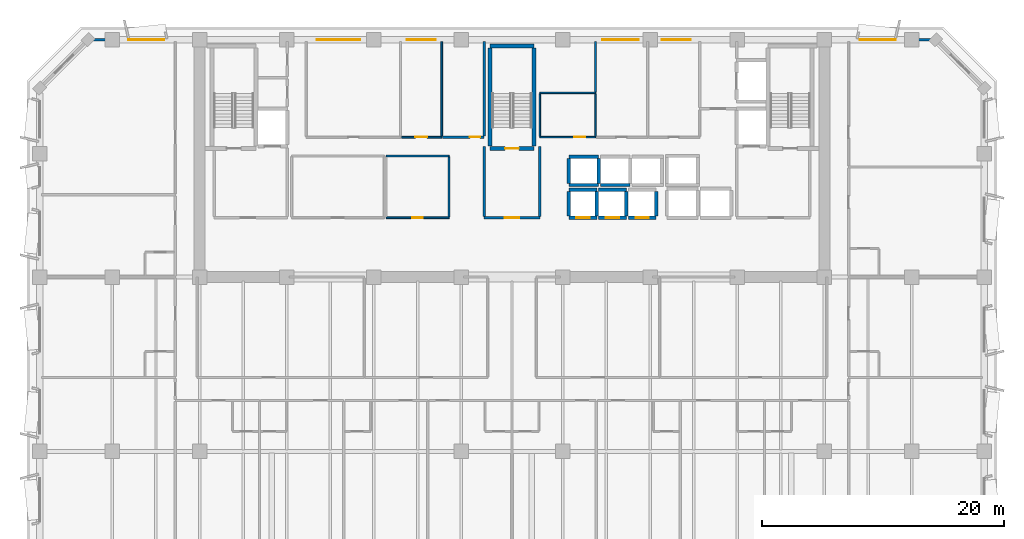
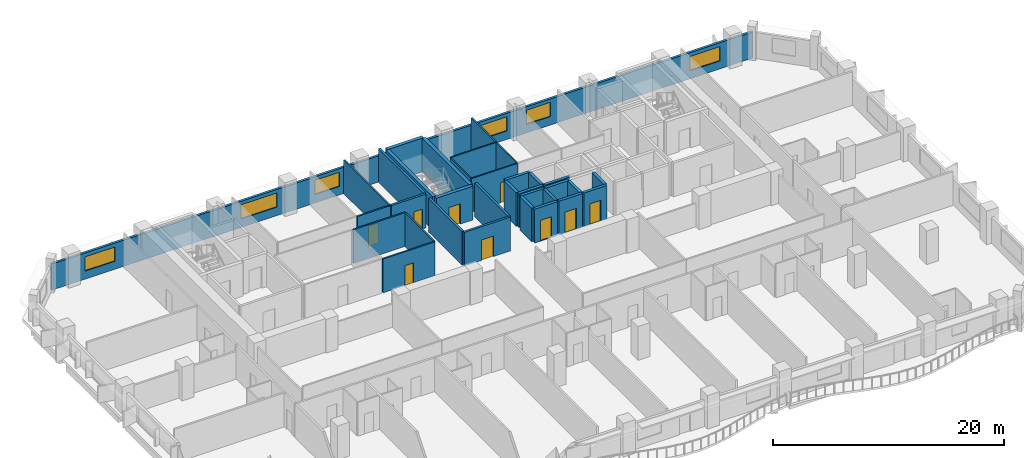
# One storey, part 7 of 14: 34 walls, 9 doors, 6 windows, 15 openings.
"""IFC4 building model written with IfcOpenShell, lengths in metres."""

from ifc_helpers import new_model, si_unit, direction, frame, frame_2d, origin, place, context, subcontext, project, spatial, rectangle, extrude, material, layer, layer_set, type_object, element, fill, save


model = new_model("IFC4")

# Units and contexts
model_context = context("Model", 3, precision=1e-05, world=origin(), true_north=direction((0.0, 1.0)))
body_context = subcontext(model_context, "Body", "Model", "MODEL_VIEW")
ifc_project = project(units=[si_unit("LENGTHUNIT", "METRE"), si_unit("AREAUNIT", "SQUARE_METRE"), si_unit("VOLUMEUNIT", "CUBIC_METRE"), si_unit("PLANEANGLEUNIT", "RADIAN"), si_unit("MASSUNIT", "GRAM", prefix="KILO")], contexts=[model_context])

# Site, building, storey
site_placement = place(None, origin())
site = spatial("IfcSite", under=ifc_project, at=site_placement, CompositionType="ELEMENT")
building_placement = place(site_placement, origin())
building = spatial("IfcBuilding", under=site, at=building_placement, Name="Kaelvorn Grand Hotel", CompositionType="ELEMENT")
storey_placement = place(building_placement, frame((0.0, 0.0, 165.75)))
storey = spatial("IfcBuildingStorey", under=building, at=storey_placement, Name="L40", CompositionType="ELEMENT", Elevation=165.75)

# Wall, openings, windows
ifc_material_1 = material(Name="Concrete C40/50", Category="concrete")
ifc_layer_1 = layer(ifc_material_1, 0.239990234375)
ifc_layer_set_1 = layer_set([ifc_layer_1], Name="Concrete C40/50")
wall_type_1 = type_object("IfcWallType", Name="WL-EXT-240-C40", PredefinedType="SOLIDWALL", material=ifc_layer_set_1)
wall_1_placement = place(storey_placement, frame((77.0, 49.0, 0.0), z_axis=(0.0, 0.0, 1.0), x_axis=(-1.0, 0.0, 0.0)))
wall_1 = element("IfcWall", 1, at=wall_1_placement, inside=storey, type_object=wall_type_1, Name="L40 Exterior Architectural Concrete Wall 05", PredefinedType="SOLIDWALL", context=body_context, shape_type="SweptSolid", body=[
    extrude(rectangle(XDim=70.0, YDim=0.239990234375, at=frame_2d((35.0, 0.0))), origin(), (0.0, 0.0, 1.0), 2.760009765625),
])
opening_1_placement = place(wall_1_placement, frame((63.699951171875, 0.0, 0.85009765625)))
opening_1 = element("IfcOpeningElement", 2, at=opening_1_placement, cuts=wall_1, Name="Opening W5", PredefinedType="OPENING", context=body_context, shape_type="SweptSolid", body=[
    extrude(rectangle(XDim=3.0, YDim=1.5, at=frame_2d((1.5, 0.75))), frame((0.0, 0.1298828125, 0.0), z_axis=(0.0, -1.0, 0.0), x_axis=(1.0, 0.0, 0.0)), (0.0, 0.0, 1.0), 0.260009765625),
])
opening_2_placement = place(wall_1_placement, frame((3.300048828125, 0.0, 0.85009765625)))
opening_2 = element("IfcOpeningElement", 3, at=opening_2_placement, cuts=wall_1, Name="Opening W5", PredefinedType="OPENING", context=body_context, shape_type="SweptSolid", body=[
    extrude(rectangle(XDim=3.0, YDim=1.5, at=frame_2d((1.5, 0.75))), frame((0.0, 0.1298828125, 0.0), z_axis=(0.0, -1.0, 0.0), x_axis=(1.0, 0.0, 0.0)), (0.0, 0.0, 1.0), 0.260009765625),
])
opening_3_placement = place(wall_1_placement, frame((47.514892578125, 0.0, 0.89990234375)))
opening_3 = element("IfcOpeningElement", 4, at=opening_3_placement, cuts=wall_1, Name="Opening W3", PredefinedType="OPENING", context=body_context, shape_type="SweptSolid", body=[
    extrude(rectangle(XDim=3.60009765625, YDim=1.5, at=frame_2d((1.800048828125, 0.75))), frame((0.0, 0.1298828125, 0.0), z_axis=(0.0, -1.0, 0.0), x_axis=(1.0, 0.0, 0.0)), (0.0, 0.0, 1.0), 0.260009765625),
])
opening_4_placement = place(wall_1_placement, frame((41.300048828125, 0.0, 0.89990234375)))
opening_4 = element("IfcOpeningElement", 5, at=opening_4_placement, cuts=wall_1, Name="Opening W6", PredefinedType="OPENING", context=body_context, shape_type="SweptSolid", body=[
    extrude(rectangle(XDim=2.39990234375, YDim=1.5, at=frame_2d((1.199951171875, 0.75))), frame((0.0, 0.1298828125, 0.0), z_axis=(0.0, -1.0, 0.0), x_axis=(1.0, 0.0, 0.0)), (0.0, 0.0, 1.0), 0.260009765625),
])
opening_5_placement = place(wall_1_placement, frame((24.550048828125, 0.0, 0.89990234375)))
opening_5 = element("IfcOpeningElement", 6, at=opening_5_placement, cuts=wall_1, Name="Opening W5", PredefinedType="OPENING", context=body_context, shape_type="SweptSolid", body=[
    extrude(rectangle(XDim=3.0, YDim=1.5, at=frame_2d((1.5, 0.75))), frame((0.0, 0.1298828125, 0.0), z_axis=(0.0, -1.0, 0.0), x_axis=(1.0, 0.0, 0.0)), (0.0, 0.0, 1.0), 0.260009765625),
])
opening_6_placement = place(wall_1_placement, frame((20.235107421875, 0.0, 0.89990234375)))
opening_6 = element("IfcOpeningElement", 7, at=opening_6_placement, cuts=wall_1, Name="Opening W6", PredefinedType="OPENING", context=body_context, shape_type="SweptSolid", body=[
    extrude(rectangle(XDim=2.39990234375, YDim=1.5, at=frame_2d((1.199951171875, 0.75))), frame((0.0, 0.1298828125, 0.0), z_axis=(0.0, -1.0, 0.0), x_axis=(1.0, 0.0, 0.0)), (0.0, 0.0, 1.0), 0.260009765625),
])
ifc_material_2 = material(Name="Laminated Low-E Glass", Category="glass")
window_type_1 = type_object("IfcWindowType", Name="WIN-NTH-2400x1500", PartitioningType="SINGLE_PANEL", PredefinedType="WINDOW", material=ifc_material_2)
window_1_placement = place(opening_4_placement, origin())
window_1 = element("IfcWindow", 8, at=window_1_placement, inside=storey, type_object=window_type_1, Name="L40 North Core Clerestory Ribbon Window NC04", OverallHeight=1.5, OverallWidth=2.39990234375, PartitioningType="SINGLE_PANEL", PredefinedType="WINDOW", context=body_context, shape_type="SweptSolid", body=[
    extrude(rectangle(XDim=2.39990234375, YDim=1.5, at=frame_2d((1.199951171875, 0.75))), frame((0.0, 0.030029296875, 0.0), z_axis=(0.0, -1.0, 0.0), x_axis=(1.0, 0.0, 0.0)), (0.0, 0.0, 1.0), 0.06005859375),
])
fill(opening_4, window_1)
window_2_placement = place(opening_6_placement, origin())
window_2 = element("IfcWindow", 9, at=window_2_placement, inside=storey, type_object=window_type_1, Name="L40 North Core Clerestory Ribbon Window NC06", OverallHeight=1.5, OverallWidth=2.39990234375, PartitioningType="SINGLE_PANEL", PredefinedType="WINDOW", context=body_context, shape_type="SweptSolid", body=[
    extrude(rectangle(XDim=2.39990234375, YDim=1.5, at=frame_2d((1.199951171875, 0.75))), frame((0.0, 0.030029296875, 0.0), z_axis=(0.0, -1.0, 0.0), x_axis=(1.0, 0.0, 0.0)), (0.0, 0.0, 1.0), 0.06005859375),
])
fill(opening_6, window_2)
window_type_2 = type_object("IfcWindowType", Name="WIN-NTH-3000x1500", PartitioningType="SINGLE_PANEL", PredefinedType="WINDOW", material=ifc_material_2)
window_3_placement = place(opening_1_placement, origin())
window_3 = element("IfcWindow", 10, at=window_3_placement, inside=storey, type_object=window_type_2, Name="L40 North Wing Ribbon Window NW01", OverallHeight=1.5, OverallWidth=3.0, PartitioningType="SINGLE_PANEL", PredefinedType="WINDOW", context=body_context, shape_type="SweptSolid", body=[
    extrude(rectangle(XDim=3.0, YDim=1.5, at=frame_2d((1.5, 0.75))), frame((0.0, 0.030029296875, 0.0), z_axis=(0.0, -1.0, 0.0), x_axis=(1.0, 0.0, 0.0)), (0.0, 0.0, 1.0), 0.06005859375),
])
fill(opening_1, window_3)
window_4_placement = place(opening_2_placement, origin())
window_4 = element("IfcWindow", 11, at=window_4_placement, inside=storey, type_object=window_type_2, Name="L40 North Wing Ribbon Window NW02", OverallHeight=1.5, OverallWidth=3.0, PartitioningType="SINGLE_PANEL", PredefinedType="WINDOW", context=body_context, shape_type="SweptSolid", body=[
    extrude(rectangle(XDim=3.0, YDim=1.5, at=frame_2d((1.5, 0.75))), frame((0.0, 0.030029296875, 0.0), z_axis=(0.0, -1.0, 0.0), x_axis=(1.0, 0.0, 0.0)), (0.0, 0.0, 1.0), 0.06005859375),
])
fill(opening_2, window_4)
window_5_placement = place(opening_5_placement, origin())
window_5 = element("IfcWindow", 12, at=window_5_placement, inside=storey, type_object=window_type_2, Name="L40 North Core Clerestory Ribbon Window NC05", OverallHeight=1.5, OverallWidth=3.0, PartitioningType="SINGLE_PANEL", PredefinedType="WINDOW", context=body_context, shape_type="SweptSolid", body=[
    extrude(rectangle(XDim=3.0, YDim=1.5, at=frame_2d((1.5, 0.75))), frame((0.0, 0.030029296875, 0.0), z_axis=(0.0, -1.0, 0.0), x_axis=(1.0, 0.0, 0.0)), (0.0, 0.0, 1.0), 0.06005859375),
])
fill(opening_5, window_5)
window_type_3 = type_object("IfcWindowType", Name="WIN-RIB-3600x1750", PartitioningType="SINGLE_PANEL", PredefinedType="WINDOW", material=ifc_material_2)
window_6_placement = place(opening_3_placement, origin())
window_6 = element("IfcWindow", 13, at=window_6_placement, inside=storey, type_object=window_type_3, Name="L40 North Core Clerestory Ribbon Window NC03", OverallHeight=1.5, OverallWidth=3.60009765625, PartitioningType="SINGLE_PANEL", PredefinedType="WINDOW", context=body_context, shape_type="SweptSolid", body=[
    extrude(rectangle(XDim=3.60009765625, YDim=1.5, at=frame_2d((1.800048828125, 0.75))), frame((0.0, 0.030029296875, 0.0), z_axis=(0.0, -1.0, 0.0), x_axis=(1.0, 0.0, 0.0)), (0.0, 0.0, 1.0), 0.06005859375),
])
fill(opening_3, window_6)

# Wall, opening, door
ifc_material_3 = material(Name="Moisture-Resistant Tile & Stud Board")
ifc_layer_2 = layer(ifc_material_3, 0.125)
ifc_layer_set_2 = layer_set([ifc_layer_2], Name="Moisture-Resistant Tile & Stud Board")
wall_type_2 = type_object("IfcWallType", Name="WL-PART-125-WET", PredefinedType="PARTITIONING", material=ifc_layer_set_2)
wall_2_placement = place(storey_placement, frame((44.300048828125, 40.949951171875, 0.0), z_axis=(0.0, 0.0, 1.0), x_axis=(1.0, 0.0, 0.0)))
wall_2 = element("IfcWall", 14, at=wall_2_placement, inside=storey, type_object=wall_type_2, Name="L40 Accessible WC S Partition", PredefinedType="PARTITIONING", context=body_context, shape_type="SweptSolid", body=[
    extrude(rectangle(XDim=4.599853515625, YDim=0.125, at=frame_2d((2.2998046875, 0.0))), origin(), (0.0, 0.0, 1.0), 3.56005859375),
])
opening_7_placement = place(wall_2_placement, frame((2.85009765625, 0.0, 0.0)))
opening_7 = element("IfcOpeningElement", 15, at=opening_7_placement, cuts=wall_2, Name="Opening DI4", PredefinedType="OPENING", context=body_context, shape_type="SweptSolid", body=[
    extrude(rectangle(XDim=0.89990234375, YDim=2.10009765625, at=frame_2d((0.449951171875, 1.050048828125))), frame((0.0, 0.072509765625, 0.0), z_axis=(0.0, -1.0, 0.0), x_axis=(1.0, 0.0, 0.0)), (0.0, 0.0, 1.0), 0.14501953125),
])
ifc_material_4 = material(Name="Timber Veneer Leaf", Category="wood")
door_type_1 = type_object("IfcDoorType", Name="DR-INT-BATH-900x2100", OperationType="NOTDEFINED", PredefinedType="DOOR", material=ifc_material_4)
door_1_placement = place(opening_7_placement, origin())
door_1 = element("IfcDoor", 16, at=door_1_placement, inside=storey, type_object=door_type_1, Name="L40 Accessible WC Door", OperationType="SINGLE_SWING_LEFT", OverallHeight=2.10009765625, OverallWidth=0.89990234375, PredefinedType="DOOR", context=body_context, shape_type="SweptSolid", body=[
    extrude(rectangle(XDim=0.89990234375, YDim=2.10009765625, at=frame_2d((0.449951171875, 1.050048828125))), frame((0.0, 0.02490234375, 0.0), z_axis=(0.0, -1.0, 0.0), x_axis=(1.0, 0.0, 0.0)), (0.0, 0.0, 1.0), 0.050048828125),
])
fill(opening_7, door_1)

# Walls
wall_3_placement = place(storey_placement, frame((44.300048828125, 44.60009765625, 0.0), z_axis=(0.0, 0.0, 1.0), x_axis=(1.0, 0.0, 0.0)))
element("IfcWall", 17, at=wall_3_placement, inside=storey, type_object=wall_type_2, Name="L40 Accessible WC N Partition", PredefinedType="PARTITIONING", context=body_context, shape_type="SweptSolid", body=[
    extrude(rectangle(XDim=4.599853515625, YDim=0.125, at=frame_2d((2.2998046875, 0.0))), origin(), (0.0, 0.0, 1.0), 3.56005859375),
])
for number, where, z_axis, x_axis, name in (
    (18, (44.300048828125, 41.017578125, 0.0), (0.0, 0.0, 1.0), (0.0, 1.0, 0.0), "L40 Accessible WC W Partition"),
    (19, (48.89990234375, 41.017578125, 0.0), (0.0, 0.0, 1.0), (0.0, 1.0, 0.0), "L40 Accessible WC E Partition"),
):
    element("IfcWall", number, at=place(storey_placement, frame(where, z_axis=z_axis, x_axis=x_axis)), inside=storey, type_object=wall_type_2, Name=name, PredefinedType="PARTITIONING", context=body_context, shape_type="SweptSolid", body=[
        extrude(rectangle(XDim=3.514892578125, YDim=0.125, at=frame_2d((1.75732421875, 0.0))), origin(), (0.0, 0.0, 1.0), 3.56005859375),
    ])

# Wall, opening, door
ifc_material_5 = material(Name="Acoustic Gypsum & Stud Partition")
ifc_layer_3 = layer(ifc_material_5, 0.14990234375)
ifc_layer_set_3 = layer_set([ifc_layer_3], Name="Acoustic Gypsum & Stud Partition")
wall_type_3 = type_object("IfcWallType", Name="WL-PART-150-EI60", PredefinedType="PARTITIONING", material=ifc_layer_set_3)
wall_4_placement = place(storey_placement, frame((31.60009765625, 34.300048828125, 0.0), z_axis=(0.0, 0.0, 1.0), x_axis=(1.0, 0.0, 0.0)))
wall_4 = element("IfcWall", 20, at=wall_4_placement, inside=storey, type_object=wall_type_3, Name="L40 Core Telecoms & BMS Server Room S Partition", PredefinedType="PARTITIONING", context=body_context, shape_type="SweptSolid", body=[
    extrude(rectangle(XDim=5.199951171875, YDim=0.14990234375, at=frame_2d((2.60009765625, 0.0))), origin(), (0.0, 0.0, 1.0), 3.56005859375),
])
opening_8_placement = place(wall_4_placement, frame((2.175048828125, 0.0, 0.0)))
opening_8 = element("IfcOpeningElement", 21, at=opening_8_placement, cuts=wall_4, Name="Opening DI7", PredefinedType="OPENING", context=body_context, shape_type="SweptSolid", body=[
    extrude(rectangle(XDim=0.85009765625, YDim=2.10009765625, at=frame_2d((0.425048828125, 1.050048828125))), frame((0.0, 0.0849609375, 0.0), z_axis=(0.0, -1.0, 0.0), x_axis=(1.0, 0.0, 0.0)), (0.0, 0.0, 1.0), 0.169921875),
])
ifc_material_6 = material(Name="Powder-Coated Steel Leaf", Category="steel")
door_type_2 = type_object("IfcDoorType", Name="DR-INT-RISER-850x2100", OperationType="NOTDEFINED", PredefinedType="DOOR", material=ifc_material_6)
door_2_placement = place(opening_8_placement, origin())
door_2 = element("IfcDoor", 22, at=door_2_placement, inside=storey, type_object=door_type_2, Name="L40 Core Telecoms & BMS Server Room Door", OperationType="SINGLE_SWING_RIGHT", OverallHeight=2.10009765625, OverallWidth=0.85009765625, PredefinedType="DOOR", context=body_context, shape_type="SweptSolid", body=[
    extrude(rectangle(XDim=0.85009765625, YDim=2.10009765625, at=frame_2d((0.425048828125, 1.050048828125))), frame((0.0, 0.02490234375, 0.0), z_axis=(0.0, -1.0, 0.0), x_axis=(1.0, 0.0, 0.0)), (0.0, 0.0, 1.0), 0.050048828125),
])
fill(opening_8, door_2)

# Walls
wall_5_placement = place(storey_placement, frame((31.60009765625, 39.39990234375, 0.0), z_axis=(0.0, 0.0, 1.0), x_axis=(1.0, 0.0, 0.0)))
element("IfcWall", 23, at=wall_5_placement, inside=storey, type_object=wall_type_3, Name="L40 Core Telecoms & BMS Server Room N Partition", PredefinedType="PARTITIONING", context=body_context, shape_type="SweptSolid", body=[
    extrude(rectangle(XDim=5.199951171875, YDim=0.14990234375, at=frame_2d((2.60009765625, 0.0))), origin(), (0.0, 0.0, 1.0), 3.56005859375),
])
wall_6_placement = place(storey_placement, frame((36.800048828125, 34.3798828125, 0.0), z_axis=(0.0, 0.0, 1.0), x_axis=(0.0, 1.0, 0.0)))
element("IfcWall", 24, at=wall_6_placement, inside=storey, type_object=wall_type_3, Name="L40 Core Telecoms & BMS Server Room E Partition", PredefinedType="PARTITIONING", context=body_context, shape_type="SweptSolid", body=[
    extrude(rectangle(XDim=4.940185546875, YDim=0.14990234375, at=frame_2d((2.47021484375, 0.0))), origin(), (0.0, 0.0, 1.0), 3.56005859375),
])

# Wall, opening, door
wall_7_placement = place(storey_placement, frame((32.8798828125, 40.949951171875, 0.0), z_axis=(0.0, 0.0, 1.0), x_axis=(1.0, 0.0, 0.0)))
wall_7 = element("IfcWall", 25, at=wall_7_placement, inside=storey, type_object=wall_type_3, Name="L40 Floor Butler Tea Point S Partition", PredefinedType="PARTITIONING", context=body_context, shape_type="SweptSolid", body=[
    extrude(rectangle(XDim=3.320068359375, YDim=0.14990234375, at=frame_2d((1.66015625, 0.0))), origin(), (0.0, 0.0, 1.0), 3.56005859375),
])
opening_9_placement = place(wall_7_placement, frame((1.1201171875, 0.0, 0.0)))
opening_9 = element("IfcOpeningElement", 26, at=opening_9_placement, cuts=wall_7, Name="Opening DI3", PredefinedType="OPENING", context=body_context, shape_type="SweptSolid", body=[
    extrude(rectangle(XDim=1.0, YDim=2.14990234375, at=frame_2d((0.5, 1.074951171875))), frame((0.0, 0.0849609375, 0.0), z_axis=(0.0, -1.0, 0.0), x_axis=(1.0, 0.0, 0.0)), (0.0, 0.0, 1.0), 0.169921875),
])
ifc_material_7 = material(Name="Timber Veneer Fire Leaf", Category="wood")
door_type_3 = type_object("IfcDoorType", Name="DR-INT-GUEST-1000x2150", OperationType="NOTDEFINED", PredefinedType="DOOR", material=ifc_material_7)
door_3_placement = place(opening_9_placement, origin())
door_3 = element("IfcDoor", 27, at=door_3_placement, inside=storey, type_object=door_type_3, Name="L40 Floor Butler Tea Point Door", OperationType="SINGLE_SWING_LEFT", OverallHeight=2.14990234375, OverallWidth=1.0, PredefinedType="DOOR", context=body_context, shape_type="SweptSolid", body=[
    extrude(rectangle(XDim=1.0, YDim=2.14990234375, at=frame_2d((0.5, 1.074951171875))), frame((0.0, 0.02490234375, 0.0), z_axis=(0.0, -1.0, 0.0), x_axis=(1.0, 0.0, 0.0)), (0.0, 0.0, 1.0), 0.050048828125),
])
fill(opening_9, door_3)

# Walls
wall_8_placement = place(storey_placement, frame((36.199951171875, 41.030029296875, 0.0), z_axis=(0.0, 0.0, 1.0), x_axis=(0.0, 1.0, 0.0)))
element("IfcWall", 28, at=wall_8_placement, inside=storey, type_object=wall_type_3, Name="L40 Floor Butler Tea Point E Partition", PredefinedType="PARTITIONING", context=body_context, shape_type="SweptSolid", body=[
    extrude(rectangle(XDim=7.820068359375, YDim=0.14990234375, at=frame_2d((3.91015625, 0.0))), origin(), (0.0, 0.0, 1.0), 3.56005859375),
])
wall_9_placement = place(storey_placement, frame((48.89990234375, 44.66748046875, 0.0), z_axis=(0.0, 0.0, 1.0), x_axis=(0.0, 1.0, 0.0)))
element("IfcWall", 29, at=wall_9_placement, inside=storey, type_object=wall_type_3, Name="L40 Minibar & Glassware Store W Partition", PredefinedType="PARTITIONING", context=body_context, shape_type="SweptSolid", body=[
    extrude(rectangle(XDim=4.1826171875, YDim=0.14990234375, at=frame_2d((2.09130859375, 0.0))), origin(), (0.0, 0.0, 1.0), 3.56005859375),
])

# Wall, opening, door
ifc_layer_4 = layer(ifc_material_1, 0.219970703125)
ifc_layer_set_4 = layer_set([ifc_layer_4], Name="Concrete C40/50")
wall_type_4 = type_object("IfcWallType", Name="WL-PART-220-EI120", PredefinedType="PARTITIONING", material=ifc_layer_set_4)
wall_10_placement = place(storey_placement, frame((39.699951171875, 34.300048828125, 0.0), z_axis=(0.0, 0.0, 1.0), x_axis=(1.0, 0.0, 0.0)))
wall_10 = element("IfcWall", 30, at=wall_10_placement, inside=storey, type_object=wall_type_4, Name="L40 Central Stair Escape Vestibule S Partition", PredefinedType="PARTITIONING", context=body_context, shape_type="SweptSolid", body=[
    extrude(rectangle(XDim=4.60009765625, YDim=0.219970703125, at=frame_2d((2.300048828125, 0.0))), origin(), (0.0, 0.0, 1.0), 3.56005859375),
])
opening_10_placement = place(wall_10_placement, frame((1.699951171875, 0.0, 0.0)))
opening_10 = element("IfcOpeningElement", 31, at=opening_10_placement, cuts=wall_10, Name="Opening DI2", PredefinedType="OPENING", context=body_context, shape_type="SweptSolid", body=[
    extrude(rectangle(XDim=1.199951171875, YDim=2.14990234375, at=frame_2d((0.60009765625, 1.074951171875))), frame((0.0, 0.1201171875, 0.0), z_axis=(0.0, -1.0, 0.0), x_axis=(1.0, 0.0, 0.0)), (0.0, 0.0, 1.0), 0.239990234375),
])
door_type_4 = type_object("IfcDoorType", Name="DR-INT-FFLOB-1200x2150", OperationType="NOTDEFINED", PredefinedType="DOOR", material=ifc_material_7)
door_4_placement = place(opening_10_placement, origin())
door_4 = element("IfcDoor", 32, at=door_4_placement, inside=storey, type_object=door_type_4, Name="L40 Central Stair Escape Vestibule Door", OperationType="SINGLE_SWING_RIGHT", OverallHeight=2.14990234375, OverallWidth=1.199951171875, PredefinedType="DOOR", context=body_context, shape_type="SweptSolid", body=[
    extrude(rectangle(XDim=1.199951171875, YDim=2.14990234375, at=frame_2d((0.60009765625, 1.074951171875))), frame((0.0, 0.02490234375, 0.0), z_axis=(0.0, -1.0, 0.0), x_axis=(1.0, 0.0, 0.0)), (0.0, 0.0, 1.0), 0.050048828125),
])
fill(opening_10, door_4)

# Walls
for number, where, z_axis, x_axis, name in (
    (33, (39.699951171875, 34.4150390625, 0.0), (0.0, 0.0, 1.0), (0.0, 1.0, 0.0), "L40 Central Stair Escape Vestibule W Partition"),
    (34, (44.300048828125, 34.4150390625, 0.0), (0.0, 0.0, 1.0), (0.0, 1.0, 0.0), "L40 Central Stair Escape Vestibule E Partition"),
):
    element("IfcWall", number, at=place(storey_placement, frame(where, z_axis=z_axis, x_axis=x_axis)), inside=storey, type_object=wall_type_4, Name=name, PredefinedType="PARTITIONING", context=body_context, shape_type="SweptSolid", body=[
        extrude(rectangle(XDim=5.784912109375, YDim=0.219970703125, at=frame_2d((2.892578125, 0.0))), origin(), (0.0, 0.0, 1.0), 3.56005859375),
    ])

# Wall, opening, door
wall_11_placement = place(storey_placement, frame((36.280029296875, 40.949951171875, 0.0), z_axis=(0.0, 0.0, 1.0), x_axis=(1.0, 0.0, 0.0)))
wall_11 = element("IfcWall", 35, at=wall_11_placement, inside=storey, type_object=wall_type_4, Name="L40 LV Electrical & Metering Room S Partition", PredefinedType="PARTITIONING", context=body_context, shape_type="SweptSolid", body=[
    extrude(rectangle(XDim=3.419921875, YDim=0.219970703125, at=frame_2d((1.7099609375, 0.0))), origin(), (0.0, 0.0, 1.0), 3.56005859375),
])
opening_11_placement = place(wall_11_placement, frame((2.2451171875, 0.0, 0.0)))
opening_11 = element("IfcOpeningElement", 36, at=opening_11_placement, cuts=wall_11, Name="Opening DI7", PredefinedType="OPENING", context=body_context, shape_type="SweptSolid", body=[
    extrude(rectangle(XDim=0.85009765625, YDim=2.10009765625, at=frame_2d((0.425048828125, 1.050048828125))), frame((0.0, 0.1201171875, 0.0), z_axis=(0.0, -1.0, 0.0), x_axis=(1.0, 0.0, 0.0)), (0.0, 0.0, 1.0), 0.239990234375),
])
door_5_placement = place(opening_11_placement, origin())
door_5 = element("IfcDoor", 37, at=door_5_placement, inside=storey, type_object=door_type_2, Name="L40 LV Electrical & Metering Room Door", OperationType="SINGLE_SWING_RIGHT", OverallHeight=2.10009765625, OverallWidth=0.85009765625, PredefinedType="DOOR", context=body_context, shape_type="SweptSolid", body=[
    extrude(rectangle(XDim=0.85009765625, YDim=2.10009765625, at=frame_2d((0.425048828125, 1.050048828125))), frame((0.0, 0.02490234375, 0.0), z_axis=(0.0, -1.0, 0.0), x_axis=(1.0, 0.0, 0.0)), (0.0, 0.0, 1.0), 0.050048828125),
])
fill(opening_11, door_5)

# Wall
wall_12_placement = place(storey_placement, frame((39.699951171875, 41.06494140625, 0.0), z_axis=(0.0, 0.0, 1.0), x_axis=(0.0, 1.0, 0.0)))
element("IfcWall", 38, at=wall_12_placement, inside=storey, type_object=wall_type_4, Name="L40 LV Electrical & Metering Room E Partition", PredefinedType="PARTITIONING", context=body_context, shape_type="SweptSolid", body=[
    extrude(rectangle(XDim=7.78515625, YDim=0.219970703125, at=frame_2d((3.892578125, 0.0))), origin(), (0.0, 0.0, 1.0), 3.56005859375),
])

# Wall, opening, door
ifc_material_8 = material(Name="Concrete C50/60", Category="concrete")
ifc_layer_5 = layer(ifc_material_8, 0.280029296875)
ifc_layer_set_5 = layer_set([ifc_layer_5], Name="Concrete C50/60")
wall_type_5 = type_object("IfcWallType", Name="WL-SHAFT-280-C50", PredefinedType="SHEAR", material=ifc_layer_set_5)
wall_13_placement = place(storey_placement, frame((46.699951171875, 34.300048828125, 0.0), z_axis=(0.0, 0.0, 1.0), x_axis=(1.0, 0.0, 0.0)))
wall_13 = element("IfcWall", 39, at=wall_13_placement, inside=storey, type_object=wall_type_5, Name="L40 Lift PL-M1 Shaft South Wall", PredefinedType="SHEAR", context=body_context, shape_type="SweptSolid", body=[
    extrude(rectangle(XDim=2.300048828125, YDim=0.280029296875, at=frame_2d((1.14990234375, 0.0))), origin(), (0.0, 0.0, 1.0), 3.56005859375),
])
opening_12_placement = place(wall_13_placement, frame((0.60009765625, 0.0, 0.0)))
opening_12 = element("IfcOpeningElement", 40, at=opening_12_placement, cuts=wall_13, Name="Opening LD-PL-M1", PredefinedType="OPENING", context=body_context, shape_type="SweptSolid", body=[
    extrude(rectangle(XDim=1.10009765625, YDim=2.199951171875, at=frame_2d((0.550048828125, 1.10009765625))), frame((0.0, 0.14990234375, 0.0), z_axis=(0.0, -1.0, 0.0), x_axis=(1.0, 0.0, 0.0)), (0.0, 0.0, 1.0), 0.300048828125),
])
ifc_material_9 = material(Name="Stainless Steel", Category="steel")
door_type_5 = type_object("IfcDoorType", Name="DR-LIFT-PASS-1100x2200", OperationType="DOUBLE_DOOR_SLIDING", PredefinedType="DOOR", material=ifc_material_9)
door_6_placement = place(opening_12_placement, origin())
door_6 = element("IfcDoor", 41, at=door_6_placement, inside=storey, type_object=door_type_5, Name="L40 Lift PL-M1 Sliding Landing Door LD-PL-M1", OperationType="DOUBLE_DOOR_SLIDING", OverallHeight=2.199951171875, OverallWidth=1.10009765625, PredefinedType="DOOR", context=body_context, shape_type="SweptSolid", body=[
    extrude(rectangle(XDim=1.10009765625, YDim=2.199951171875, at=frame_2d((0.550048828125, 1.10009765625))), frame((0.0, 0.02490234375, 0.0), z_axis=(0.0, -1.0, 0.0), x_axis=(1.0, 0.0, 0.0)), (0.0, 0.0, 1.0), 0.050048828125),
])
fill(opening_12, door_6)

# Walls
wall_14_placement = place(storey_placement, frame((46.699951171875, 36.60009765625, 0.0), z_axis=(0.0, 0.0, 1.0), x_axis=(1.0, 0.0, 0.0)))
element("IfcWall", 42, at=wall_14_placement, inside=storey, type_object=wall_type_5, Name="L40 Lift PL-M1 Shaft North Wall", PredefinedType="SHEAR", context=body_context, shape_type="SweptSolid", body=[
    extrude(rectangle(XDim=2.300048828125, YDim=0.280029296875, at=frame_2d((1.14990234375, 0.0))), origin(), (0.0, 0.0, 1.0), 3.56005859375),
])
for number, where, z_axis, x_axis, name in (
    (43, (46.699951171875, 34.445068359375, 0.0), (0.0, 0.0, 1.0), (0.0, 1.0, 0.0), "L40 Lift PL-M1 Shaft West Wall"),
    (44, (49.0, 34.445068359375, 0.0), (0.0, 0.0, 1.0), (0.0, 1.0, 0.0), "L40 Lift PL-M1 Shaft East Wall"),
):
    element("IfcWall", number, at=place(storey_placement, frame(where, z_axis=z_axis, x_axis=x_axis)), inside=storey, type_object=wall_type_5, Name=name, PredefinedType="SHEAR", context=body_context, shape_type="SweptSolid", body=[
        extrude(rectangle(XDim=2.010009765625, YDim=0.280029296875, at=frame_2d((1.0048828125, 0.0))), origin(), (0.0, 0.0, 1.0), 3.56005859375),
    ])

# Wall, opening, door
wall_15_placement = place(storey_placement, frame((49.14990234375, 34.300048828125, 0.0), z_axis=(0.0, 0.0, 1.0), x_axis=(1.0, 0.0, 0.0)))
wall_15 = element("IfcWall", 45, at=wall_15_placement, inside=storey, type_object=wall_type_5, Name="L40 Lift PL-M2 Shaft South Wall", PredefinedType="SHEAR", context=body_context, shape_type="SweptSolid", body=[
    extrude(rectangle(XDim=2.300048828125, YDim=0.280029296875, at=frame_2d((1.14990234375, 0.0))), origin(), (0.0, 0.0, 1.0), 3.56005859375),
])
opening_13_placement = place(wall_15_placement, frame((0.60009765625, 0.0, 0.0)))
opening_13 = element("IfcOpeningElement", 46, at=opening_13_placement, cuts=wall_15, Name="Opening LD-PL-M2", PredefinedType="OPENING", context=body_context, shape_type="SweptSolid", body=[
    extrude(rectangle(XDim=1.10009765625, YDim=2.199951171875, at=frame_2d((0.550048828125, 1.10009765625))), frame((0.0, 0.14990234375, 0.0), z_axis=(0.0, -1.0, 0.0), x_axis=(1.0, 0.0, 0.0)), (0.0, 0.0, 1.0), 0.300048828125),
])
door_7_placement = place(opening_13_placement, origin())
door_7 = element("IfcDoor", 47, at=door_7_placement, inside=storey, type_object=door_type_5, Name="L40 Lift PL-M2 Sliding Landing Door LD-PL-M2", OperationType="DOUBLE_DOOR_SLIDING", OverallHeight=2.199951171875, OverallWidth=1.10009765625, PredefinedType="DOOR", context=body_context, shape_type="SweptSolid", body=[
    extrude(rectangle(XDim=1.10009765625, YDim=2.199951171875, at=frame_2d((0.550048828125, 1.10009765625))), frame((0.0, 0.02490234375, 0.0), z_axis=(0.0, -1.0, 0.0), x_axis=(1.0, 0.0, 0.0)), (0.0, 0.0, 1.0), 0.050048828125),
])
fill(opening_13, door_7)

# Walls
wall_16_placement = place(storey_placement, frame((49.14990234375, 36.60009765625, 0.0), z_axis=(0.0, 0.0, 1.0), x_axis=(1.0, 0.0, 0.0)))
element("IfcWall", 48, at=wall_16_placement, inside=storey, type_object=wall_type_5, Name="L40 Lift PL-M2 Shaft North Wall", PredefinedType="SHEAR", context=body_context, shape_type="SweptSolid", body=[
    extrude(rectangle(XDim=2.300048828125, YDim=0.280029296875, at=frame_2d((1.14990234375, 0.0))), origin(), (0.0, 0.0, 1.0), 3.56005859375),
])
wall_17_placement = place(storey_placement, frame((51.449951171875, 34.445068359375, 0.0), z_axis=(0.0, 0.0, 1.0), x_axis=(0.0, 1.0, 0.0)))
element("IfcWall", 49, at=wall_17_placement, inside=storey, type_object=wall_type_5, Name="L40 Lift PL-M2 Shaft East Wall", PredefinedType="SHEAR", context=body_context, shape_type="SweptSolid", body=[
    extrude(rectangle(XDim=2.010009765625, YDim=0.280029296875, at=frame_2d((1.0048828125, 0.0))), origin(), (0.0, 0.0, 1.0), 3.56005859375),
])

# Wall, opening, door
wall_18_placement = place(storey_placement, frame((51.60009765625, 34.300048828125, 0.0), z_axis=(0.0, 0.0, 1.0), x_axis=(1.0, 0.0, 0.0)))
wall_18 = element("IfcWall", 50, at=wall_18_placement, inside=storey, type_object=wall_type_5, Name="L40 Lift PL-M3 Shaft South Wall", PredefinedType="SHEAR", context=body_context, shape_type="SweptSolid", body=[
    extrude(rectangle(XDim=2.2998046875, YDim=0.280029296875, at=frame_2d((1.14990234375, 0.0))), origin(), (0.0, 0.0, 1.0), 3.56005859375),
])
opening_14_placement = place(wall_18_placement, frame((0.60009765625, 0.0, 0.0)))
opening_14 = element("IfcOpeningElement", 51, at=opening_14_placement, cuts=wall_18, Name="Opening LD-PL-M3", PredefinedType="OPENING", context=body_context, shape_type="SweptSolid", body=[
    extrude(rectangle(XDim=1.10009765625, YDim=2.199951171875, at=frame_2d((0.550048828125, 1.10009765625))), frame((0.0, 0.14990234375, 0.0), z_axis=(0.0, -1.0, 0.0), x_axis=(1.0, 0.0, 0.0)), (0.0, 0.0, 1.0), 0.300048828125),
])
door_8_placement = place(opening_14_placement, origin())
door_8 = element("IfcDoor", 52, at=door_8_placement, inside=storey, type_object=door_type_5, Name="L40 Lift PL-M3 Sliding Landing Door LD-PL-M3", OperationType="DOUBLE_DOOR_SLIDING", OverallHeight=2.199951171875, OverallWidth=1.10009765625, PredefinedType="DOOR", context=body_context, shape_type="SweptSolid", body=[
    extrude(rectangle(XDim=1.10009765625, YDim=2.199951171875, at=frame_2d((0.550048828125, 1.10009765625))), frame((0.0, 0.02490234375, 0.0), z_axis=(0.0, -1.0, 0.0), x_axis=(1.0, 0.0, 0.0)), (0.0, 0.0, 1.0), 0.050048828125),
])
fill(opening_14, door_8)

# Walls
wall_19_placement = place(storey_placement, frame((53.89990234375, 34.445068359375, 0.0), z_axis=(0.0, 0.0, 1.0), x_axis=(0.0, 1.0, 0.0)))
element("IfcWall", 53, at=wall_19_placement, inside=storey, type_object=wall_type_5, Name="L40 Lift PL-M3 Shaft East Wall", PredefinedType="SHEAR", context=body_context, shape_type="SweptSolid", body=[
    extrude(rectangle(XDim=2.010009765625, YDim=0.280029296875, at=frame_2d((1.0048828125, 0.0))), origin(), (0.0, 0.0, 1.0), 3.56005859375),
])
for number, where, z_axis, x_axis, name in (
    (54, (46.699951171875, 37.0, 0.0), (0.0, 0.0, 1.0), (1.0, 0.0, 0.0), "L40 Lift SL-1 Shaft South Wall"),
    (55, (46.699951171875, 39.35009765625, 0.0), (0.0, 0.0, 1.0), (1.0, 0.0, 0.0), "L40 Lift SL-1 Shaft North Wall"),
):
    element("IfcWall", number, at=place(storey_placement, frame(where, z_axis=z_axis, x_axis=x_axis)), inside=storey, type_object=wall_type_5, Name=name, PredefinedType="SHEAR", context=body_context, shape_type="SweptSolid", body=[
        extrude(rectangle(XDim=2.449951171875, YDim=0.280029296875, at=frame_2d((1.22509765625, 0.0))), origin(), (0.0, 0.0, 1.0), 3.56005859375),
    ])
for number, where, z_axis, x_axis, name in (
    (56, (46.699951171875, 37.14501953125, 0.0), (0.0, 0.0, 1.0), (0.0, 1.0, 0.0), "L40 Lift SL-1 Shaft West Wall"),
    (57, (49.14990234375, 37.14501953125, 0.0), (0.0, 0.0, 1.0), (0.0, 1.0, 0.0), "L40 Lift SL-1 Shaft East Wall"),
):
    element("IfcWall", number, at=place(storey_placement, frame(where, z_axis=z_axis, x_axis=x_axis)), inside=storey, type_object=wall_type_5, Name=name, PredefinedType="SHEAR", context=body_context, shape_type="SweptSolid", body=[
        extrude(rectangle(XDim=2.06005859375, YDim=0.280029296875, at=frame_2d((1.030029296875, 0.0))), origin(), (0.0, 0.0, 1.0), 3.56005859375),
    ])
wall_20_placement = place(storey_placement, frame((49.300048828125, 37.0, 0.0), z_axis=(0.0, 0.0, 1.0), x_axis=(1.0, 0.0, 0.0)))
element("IfcWall", 58, at=wall_20_placement, inside=storey, type_object=wall_type_5, Name="L40 Lift SL-2 Shaft South Wall", PredefinedType="SHEAR", context=body_context, shape_type="SweptSolid", body=[
    extrude(rectangle(XDim=2.449951171875, YDim=0.280029296875, at=frame_2d((1.22509765625, 0.0))), origin(), (0.0, 0.0, 1.0), 3.56005859375),
])

# Wall, opening, door
ifc_material_10 = material(Name="Concrete C60/75", Category="concrete")
ifc_layer_6 = layer(ifc_material_10, 0.35009765625)
ifc_layer_set_6 = layer_set([ifc_layer_6], Name="Concrete C60/75")
wall_type_6 = type_object("IfcWallType", Name="WL-SHAFT-350-C60", PredefinedType="SHEAR", material=ifc_layer_set_6)
wall_21_placement = place(storey_placement, frame((40.18505859375, 40.02490234375, 0.0), z_axis=(0.0, 0.0, 1.0), x_axis=(1.0, 0.0, 0.0)))
wall_21 = element("IfcWall", 59, at=wall_21_placement, inside=storey, type_object=wall_type_6, Name="L40 ST2 Stair Shaft South Wall", PredefinedType="SHEAR", context=body_context, shape_type="SweptSolid", body=[
    extrude(rectangle(XDim=3.6298828125, YDim=0.35009765625, at=frame_2d((1.81494140625, 0.0))), origin(), (0.0, 0.0, 1.0), 3.56005859375),
])
opening_15_placement = place(wall_21_placement, frame((1.239990234375, 0.0, 0.0)))
opening_15 = element("IfcOpeningElement", 60, at=opening_15_placement, cuts=wall_21, Name="Opening DI1", PredefinedType="OPENING", context=body_context, shape_type="SweptSolid", body=[
    extrude(rectangle(XDim=1.14990234375, YDim=2.14990234375, at=frame_2d((0.574951171875, 1.074951171875))), frame((0.0, 0.18505859375, 0.0), z_axis=(0.0, -1.0, 0.0), x_axis=(1.0, 0.0, 0.0)), (0.0, 0.0, 1.0), 0.3701171875),
])
door_type_6 = type_object("IfcDoorType", Name="DR-INT-STAIR-1150x2150", OperationType="NOTDEFINED", PredefinedType="DOOR", material=ifc_material_7)
door_9_placement = place(opening_15_placement, origin())
door_9 = element("IfcDoor", 61, at=door_9_placement, inside=storey, type_object=door_type_6, Name="L40 ST2 Exit Stair Fire Door", OperationType="SINGLE_SWING_RIGHT", OverallHeight=2.14990234375, OverallWidth=1.14990234375, PredefinedType="DOOR", context=body_context, shape_type="SweptSolid", body=[
    extrude(rectangle(XDim=1.14990234375, YDim=2.14990234375, at=frame_2d((0.574951171875, 1.074951171875))), frame((0.0, 0.02490234375, 0.0), z_axis=(0.0, -1.0, 0.0), x_axis=(1.0, 0.0, 0.0)), (0.0, 0.0, 1.0), 0.050048828125),
])
fill(opening_15, door_9)

# Walls
wall_22_placement = place(storey_placement, frame((40.18505859375, 48.47509765625, 0.0), z_axis=(0.0, 0.0, 1.0), x_axis=(1.0, 0.0, 0.0)))
element("IfcWall", 62, at=wall_22_placement, inside=storey, type_object=wall_type_6, Name="L40 ST2 Stair Shaft North Wall", PredefinedType="SHEAR", context=body_context, shape_type="SweptSolid", body=[
    extrude(rectangle(XDim=3.6298828125, YDim=0.35009765625, at=frame_2d((1.81494140625, 0.0))), origin(), (0.0, 0.0, 1.0), 3.56005859375),
])
for number, where, z_axis, x_axis, name in (
    (63, (40.18505859375, 40.205078125, 0.0), (0.0, 0.0, 1.0), (0.0, 1.0, 0.0), "L40 ST2 Stair Shaft West Wall"),
    (64, (43.81494140625, 40.205078125, 0.0), (0.0, 0.0, 1.0), (0.0, 1.0, 0.0), "L40 ST2 Stair Shaft East Wall"),
):
    element("IfcWall", number, at=place(storey_placement, frame(where, z_axis=z_axis, x_axis=x_axis)), inside=storey, type_object=wall_type_6, Name=name, PredefinedType="SHEAR", context=body_context, shape_type="SweptSolid", body=[
        extrude(rectangle(XDim=8.08984375, YDim=0.35009765625, at=frame_2d((4.044921875, 0.0))), origin(), (0.0, 0.0, 1.0), 3.56005859375),
    ])

save(model, "model.ifc")
